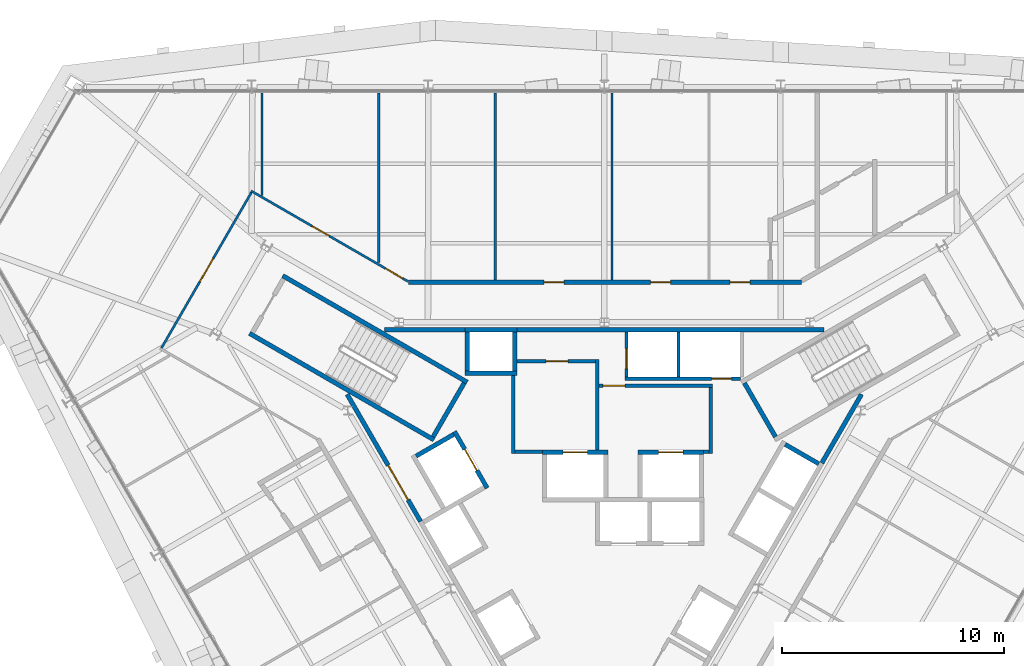
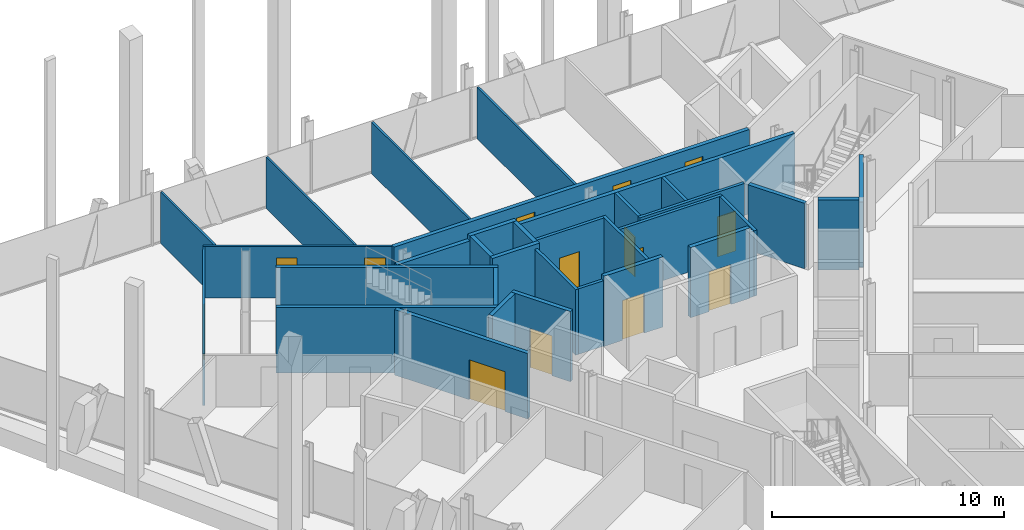
# One storey, part 12 of 15: 34 walls, 14 doors, 14 openings.
"""IFC4 building model written with IfcOpenShell, lengths in metres."""

from ifc_helpers import new_model, si_unit, direction, frame, frame_2d, origin, place, context, subcontext, project, spatial, rectangle, extrude, material, layer, layer_set, type_object, element, fill, save


model = new_model("IFC4")

# Units and contexts
model_context = context("Model", 3, precision=1e-05, world=origin(), true_north=direction((0.0, 1.0)))
body_context = subcontext(model_context, "Body", "Model", "MODEL_VIEW")
ifc_project = project(units=[si_unit("LENGTHUNIT", "METRE"), si_unit("AREAUNIT", "SQUARE_METRE"), si_unit("VOLUMEUNIT", "CUBIC_METRE"), si_unit("PLANEANGLEUNIT", "RADIAN"), si_unit("MASSUNIT", "GRAM", prefix="KILO")], contexts=[model_context])

# Site, building, storey
site_placement = place(None, origin())
site = spatial("IfcSite", under=ifc_project, at=site_placement, CompositionType="ELEMENT")
building_placement = place(site_placement, origin())
building = spatial("IfcBuilding", under=site, at=building_placement, Name="Verrane Prism Tower", CompositionType="ELEMENT")
storey_placement = place(building_placement, frame((0.0, 0.0, 189.5)))
storey = spatial("IfcBuildingStorey", under=building, at=storey_placement, Name="L47", CompositionType="ELEMENT", Elevation=189.5)

# Wall, opening, door
ifc_material_1 = material(Name="Gypsum board partition", Category="other")
ifc_layer_1 = layer(ifc_material_1, 0.199951171875)
ifc_layer_set_1 = layer_set([ifc_layer_1], Name="CW-200 core boundary wall 2 h")
wall_type_1 = type_object("IfcWallType", Name="CW-200 core boundary wall 2 h", PredefinedType="PARTITIONING", material=ifc_layer_set_1)
wall_1_placement = place(storey_placement, frame((-11.590576171875, 4.7548828125, 0.0), z_axis=(0.0, 0.0, 1.0), x_axis=(0.500043977787, -0.866000011708, 0.0)))
wall_1 = element("IfcWall", 1, at=wall_1_placement, inside=storey, type_object=wall_type_1, Name="Core boundary wall CW3-001", PredefinedType="PARTITIONING", context=body_context, shape_type="SweptSolid", body=[
    extrude(rectangle(XDim=6.61669921875, YDim=0.199951171875, at=frame_2d((3.308349609375, 0.0))), origin(), (0.0, 0.0, 1.0), 3.449951171875),
])
opening_1_placement = place(wall_1_placement, frame((3.695068359375, 0.0, 0.0)))
opening_1 = element("IfcOpeningElement", 2, at=opening_1_placement, cuts=wall_1, Name="Opening D47510", PredefinedType="OPENING", context=body_context, shape_type="SweptSolid", body=[
    extrude(rectangle(XDim=1.800048828125, YDim=2.10009765625, at=frame_2d((0.89990234375, 1.050048828125))), frame((0.0, 0.10986328125, 0.0), z_axis=(0.0, -1.0, 0.0), x_axis=(1.0, 0.0, 0.0)), (0.0, 0.0, 1.0), 0.219970703125),
])
ifc_material_2 = material(Name="Timber veneered door leaf", Category="wood")
door_type_1 = type_object("IfcDoorType", Name="DR-1800x2100 FD60 double leaf lift lobby", OperationType="NOTDEFINED", PredefinedType="DOOR", material=ifc_material_2)
door_1_placement = place(opening_1_placement, origin())
door_1 = element("IfcDoor", 3, at=door_1_placement, inside=storey, type_object=door_type_1, Name="Lift lobby door D47510", OperationType="DOUBLE_DOOR_SINGLE_SWING", OverallHeight=2.10009765625, OverallWidth=1.800048828125, PredefinedType="DOOR", context=body_context, shape_type="SweptSolid", body=[
    extrude(rectangle(XDim=1.800048828125, YDim=2.10009765625, at=frame_2d((0.89990234375, 1.050048828125))), frame((0.0, 0.02490234375, 0.0), z_axis=(0.0, -1.0, 0.0), x_axis=(1.0, 0.0, 0.0)), (0.0, 0.0, 1.0), 0.050048828125),
])
fill(opening_1, door_1)

# Walls
wall_2_placement = place(storey_placement, frame((-9.907958984375, 7.659912109375, 0.0), z_axis=(0.0, 0.0, 1.0), x_axis=(1.0, 0.0, 0.0)))
element("IfcWall", 4, at=wall_2_placement, inside=storey, type_object=wall_type_1, Name="Core boundary wall CW3-002", PredefinedType="PARTITIONING", context=body_context, shape_type="SweptSolid", body=[
    extrude(rectangle(XDim=3.620849609375, YDim=0.199951171875, at=frame_2d((1.810546875, 0.0))), origin(), (0.0, 0.0, 1.0), 3.449951171875),
])
wall_3_placement = place(storey_placement, frame((-3.93310546875, 7.659912109375, 0.0), z_axis=(0.0, 0.0, 1.0), x_axis=(1.0, 0.0, 0.0)))
element("IfcWall", 5, at=wall_3_placement, inside=storey, type_object=wall_type_1, Name="Core boundary wall CW3-005", PredefinedType="PARTITIONING", context=body_context, shape_type="SweptSolid", body=[
    extrude(rectangle(XDim=13.841064453125, YDim=0.199951171875, at=frame_2d((6.92041015625, 0.0))), origin(), (0.0, 0.0, 1.0), 3.449951171875),
])
wall_4_placement = place(storey_placement, frame((9.802978515625, 1.657958984375, 0.0), z_axis=(0.0, 0.0, 1.0), x_axis=(0.499943114462, 0.866058244174, 0.0)))
element("IfcWall", 6, at=wall_4_placement, inside=storey, type_object=wall_type_1, Name="Core boundary wall CW3-008", PredefinedType="PARTITIONING", context=body_context, shape_type="SweptSolid", body=[
    extrude(rectangle(XDim=3.57568359375, YDim=0.199951171875, at=frame_2d((1.787841796875, 0.0))), origin(), (0.0, 0.0, 1.0), 3.449951171875),
])
ifc_material_3 = material(Name="Concrete C40/50", Category="concrete")
ifc_layer_2 = layer(ifc_material_3, 0.199951171875)
ifc_layer_set_2 = layer_set([ifc_layer_2], Name="CW-200 stair core wall concrete C40/50 3 h")
wall_type_2 = type_object("IfcWallType", Name="CW-200 stair core wall concrete C40/50 3 h", PredefinedType="PARTITIONING", material=ifc_layer_set_2)
wall_5_placement = place(storey_placement, frame((7.71484375, 2.837646484375, 0.0), z_axis=(0.0, 0.0, 1.0), x_axis=(-0.500049511043, 0.865996816683, 0.0)))
element("IfcWall", 7, at=wall_5_placement, inside=storey, type_object=wall_type_2, Name="Stair 1 enclosure wall", PredefinedType="PARTITIONING", context=body_context, shape_type="SweptSolid", body=[
    extrude(rectangle(XDim=2.800048828125, YDim=0.199951171875, at=frame_2d((1.39990234375, 0.0))), origin(), (0.0, 0.0, 1.0), 3.449951171875),
])
for number, where, z_axis, x_axis, name in (
    (8, (-7.67822265625, 2.700927734375, 0.0), (0.0, 0.0, 1.0), (-0.866019993635, 0.500009370536, 0.0), "Stair 2 enclosure wall"),
    (9, (-6.17822265625, 5.299072265625, 0.0), (0.0, 0.0, 1.0), (-0.866019993635, 0.500009370536, 0.0), "Stair 2 enclosure wall"),
):
    element("IfcWall", number, at=place(storey_placement, frame(where, z_axis=z_axis, x_axis=x_axis)), inside=storey, type_object=wall_type_2, Name=name, PredefinedType="PARTITIONING", context=body_context, shape_type="SweptSolid", body=[
        extrude(rectangle(XDim=9.599853515625, YDim=0.199951171875, at=frame_2d((4.7998046875, 0.0))), origin(), (0.0, 0.0, 1.0), 3.449951171875),
    ])
wall_6_placement = place(storey_placement, frame((-6.314697265625, 5.262451171875, 0.0), z_axis=(0.0, 0.0, 1.0), x_axis=(-0.500049511043, -0.865996816683, 0.0)))
element("IfcWall", 10, at=wall_6_placement, inside=storey, type_object=wall_type_2, Name="Stair 2 enclosure wall", PredefinedType="PARTITIONING", context=body_context, shape_type="SweptSolid", body=[
    extrude(rectangle(XDim=2.800048828125, YDim=0.199951171875, at=frame_2d((1.39990234375, 0.0))), origin(), (0.0, 0.0, 1.0), 3.449951171875),
])

# Wall, opening, door
ifc_material_4 = material(Name="Gypsum board shaft wall assembly", Category="other")
ifc_layer_3 = layer(ifc_material_4, 0.199951171875)
ifc_layer_set_3 = layer_set([ifc_layer_3], Name="HW-200 lift shaft wall 2 h")
wall_type_3 = type_object("IfcWallType", Name="HW-200 lift shaft wall 2 h", PredefinedType="PARTITIONING", material=ifc_layer_set_3)
wall_7_placement = place(storey_placement, frame((-2.784912109375, 2.14990234375, 0.0), z_axis=(0.0, 0.0, 1.0), x_axis=(1.0, 0.0, 0.0)))
wall_7 = element("IfcWall", 11, at=wall_7_placement, inside=storey, type_object=wall_type_3, Name="Lift shaft wall", PredefinedType="PARTITIONING", context=body_context, shape_type="SweptSolid", body=[
    extrude(rectangle(XDim=2.949951171875, YDim=0.199951171875, at=frame_2d((1.47509765625, 0.0))), origin(), (0.0, 0.0, 1.0), 3.699951171875),
])
opening_2_placement = place(wall_7_placement, frame((0.925048828125, 0.0, 0.0)))
opening_2 = element("IfcOpeningElement", 12, at=opening_2_placement, cuts=wall_7, Name="Opening D47507", PredefinedType="OPENING", context=body_context, shape_type="SweptSolid", body=[
    extrude(rectangle(XDim=1.10009765625, YDim=2.10009765625, at=frame_2d((0.550048828125, 1.050048828125))), frame((0.0, 0.10986328125, 0.0), z_axis=(0.0, -1.0, 0.0), x_axis=(1.0, 0.0, 0.0)), (0.0, 0.0, 1.0), 0.219970703125),
])
ifc_material_5 = material(Name="Stainless steel sliding landing door", Category="steel")
door_type_2 = type_object("IfcDoorType", Name="LD-1100x2100 lift landing door FD90 sliding", OperationType="NOTDEFINED", PredefinedType="DOOR", material=ifc_material_5)
door_2_placement = place(opening_2_placement, origin())
door_2 = element("IfcDoor", 13, at=door_2_placement, inside=storey, type_object=door_type_2, Name="Fire service lift 1 landing door", OperationType="SLIDING_TO_LEFT", OverallHeight=2.10009765625, OverallWidth=1.10009765625, PredefinedType="DOOR", context=body_context, shape_type="SweptSolid", body=[
    extrude(rectangle(XDim=1.10009765625, YDim=2.10009765625, at=frame_2d((0.550048828125, 1.050048828125))), frame((0.0, 0.02490234375, 0.0), z_axis=(0.0, -1.0, 0.0), x_axis=(1.0, 0.0, 0.0)), (0.0, 0.0, 1.0), 0.050048828125),
])
fill(opening_2, door_2)

wall_8_placement = place(storey_placement, frame((1.52490234375, 2.14990234375, 0.0), z_axis=(0.0, 0.0, 1.0), x_axis=(1.0, 0.0, 0.0)))
wall_8 = element("IfcWall", 14, at=wall_8_placement, inside=storey, type_object=wall_type_3, Name="Lift shaft wall", PredefinedType="PARTITIONING", context=body_context, shape_type="SweptSolid", body=[
    extrude(rectangle(XDim=2.9501953125, YDim=0.199951171875, at=frame_2d((1.47509765625, 0.0))), origin(), (0.0, 0.0, 1.0), 3.699951171875),
])
opening_3_placement = place(wall_8_placement, frame((0.925048828125, 0.0, 0.0)))
opening_3 = element("IfcOpeningElement", 15, at=opening_3_placement, cuts=wall_8, Name="Opening D47508", PredefinedType="OPENING", context=body_context, shape_type="SweptSolid", body=[
    extrude(rectangle(XDim=1.10009765625, YDim=2.10009765625, at=frame_2d((0.550048828125, 1.050048828125))), frame((0.0, 0.10986328125, 0.0), z_axis=(0.0, -1.0, 0.0), x_axis=(1.0, 0.0, 0.0)), (0.0, 0.0, 1.0), 0.219970703125),
])
door_3_placement = place(opening_3_placement, origin())
door_3 = element("IfcDoor", 16, at=door_3_placement, inside=storey, type_object=door_type_2, Name="Fire service lift 2 landing door", OperationType="SLIDING_TO_RIGHT", OverallHeight=2.10009765625, OverallWidth=1.10009765625, PredefinedType="DOOR", context=body_context, shape_type="SweptSolid", body=[
    extrude(rectangle(XDim=1.10009765625, YDim=2.10009765625, at=frame_2d((0.550048828125, 1.050048828125))), frame((0.0, 0.02490234375, 0.0), z_axis=(0.0, -1.0, 0.0), x_axis=(1.0, 0.0, 0.0)), (0.0, 0.0, 1.0), 0.050048828125),
])
fill(opening_3, door_3)

# Walls
for number, where, z_axis, x_axis, name in (
    (17, (-6.284912109375, 5.7099609375, 0.0), (0.0, 0.0, 1.0), (1.0, 0.0, 0.0), "Lift shaft wall"),
    (18, (-6.284912109375, 7.659912109375, 0.0), (0.0, 0.0, 1.0), (1.0, 0.0, 0.0), "Lift shaft wall"),
):
    element("IfcWall", number, at=place(storey_placement, frame(where, z_axis=z_axis, x_axis=x_axis)), inside=storey, type_object=wall_type_3, Name=name, PredefinedType="PARTITIONING", context=body_context, shape_type="SweptSolid", body=[
        extrude(rectangle(XDim=2.349853515625, YDim=0.199951171875, at=frame_2d((1.1748046875, 0.0))), origin(), (0.0, 0.0, 1.0), 3.699951171875),
    ])
wall_9_placement = place(storey_placement, frame((-8.48046875, 1.968505859375, 0.0), z_axis=(0.0, 0.0, 1.0), x_axis=(0.866000020948, 0.500043961785, 0.0)))
element("IfcWall", 19, at=wall_9_placement, inside=storey, type_object=wall_type_3, Name="Lift shaft wall", PredefinedType="PARTITIONING", context=body_context, shape_type="SweptSolid", body=[
    extrude(rectangle(XDim=1.949951171875, YDim=0.199951171875, at=frame_2d((0.97509765625, 0.0))), origin(), (0.0, 0.0, 1.0), 3.699951171875),
])
for number, where, z_axis, x_axis, name in (
    (20, (-4.034912109375, 5.81005859375, 0.0), (0.0, 0.0, 1.0), (0.0, 1.0, 0.0), "Lift shaft wall"),
    (21, (-6.18505859375, 5.81005859375, 0.0), (0.0, 0.0, 1.0), (0.0, 1.0, 0.0), "Lift shaft wall"),
):
    element("IfcWall", number, at=place(storey_placement, frame(where, z_axis=z_axis, x_axis=x_axis)), inside=storey, type_object=wall_type_3, Name=name, PredefinedType="PARTITIONING", context=body_context, shape_type="SweptSolid", body=[
        extrude(rectangle(XDim=1.75, YDim=0.199951171875, at=frame_2d((0.875, 0.0))), origin(), (0.0, 0.0, 1.0), 3.699951171875),
    ])

# Wall, opening, door
wall_10_placement = place(storey_placement, frame((-5.280029296875, 0.525390625, 0.0), z_axis=(0.0, 0.0, 1.0), x_axis=(-0.500037662692, 0.866003658127, 0.0)))
wall_10 = element("IfcWall", 22, at=wall_10_placement, inside=storey, type_object=wall_type_3, Name="Lift shaft wall", PredefinedType="PARTITIONING", context=body_context, shape_type="SweptSolid", body=[
    extrude(rectangle(XDim=2.949951171875, YDim=0.199951171875, at=frame_2d((1.47509765625, 0.0))), origin(), (0.0, 0.0, 1.0), 3.699951171875),
])
opening_4_placement = place(wall_10_placement, frame((0.925048828125, 0.0, 0.0)))
opening_4 = element("IfcOpeningElement", 23, at=opening_4_placement, cuts=wall_10, Name="Opening D47509", PredefinedType="OPENING", context=body_context, shape_type="SweptSolid", body=[
    extrude(rectangle(XDim=1.10009765625, YDim=2.10009765625, at=frame_2d((0.550048828125, 1.050048828125))), frame((0.0, 0.10986328125, 0.0), z_axis=(0.0, -1.0, 0.0), x_axis=(1.0, 0.0, 0.0)), (0.0, 0.0, 1.0), 0.219970703125),
])
door_4_placement = place(opening_4_placement, origin())
door_4 = element("IfcDoor", 24, at=door_4_placement, inside=storey, type_object=door_type_2, Name="Service lift 1 landing door", OperationType="SLIDING_TO_LEFT", OverallHeight=2.10009765625, OverallWidth=1.10009765625, PredefinedType="DOOR", context=body_context, shape_type="SweptSolid", body=[
    extrude(rectangle(XDim=1.10009765625, YDim=2.10009765625, at=frame_2d((0.550048828125, 1.050048828125))), frame((0.0, 0.02490234375, 0.0), z_axis=(0.0, -1.0, 0.0), x_axis=(1.0, 0.0, 0.0)), (0.0, 0.0, 1.0), 0.050048828125),
])
fill(opening_4, door_4)

# Walls
wall_11_placement = place(storey_placement, frame((9.66455078125, 1.61962890625, 0.0), z_axis=(0.0, 0.0, 1.0), x_axis=(-0.866002029911, 0.500040482552, 0.0)))
element("IfcWall", 25, at=wall_11_placement, inside=storey, type_object=wall_type_3, Name="Lift shaft wall", PredefinedType="PARTITIONING", context=body_context, shape_type="SweptSolid", body=[
    extrude(rectangle(XDim=1.749755859375, YDim=0.199951171875, at=frame_2d((0.875, 0.0))), origin(), (0.0, 0.0, 1.0), 3.699951171875),
])
ifc_material_6 = material(Name="Gypsum board partition", Category="other")
ifc_layer_4 = layer(ifc_material_6, 0.14990234375)
ifc_layer_set_4 = layer_set([ifc_layer_4], Name="LF-150 firefighting lobby wall 1 h")
wall_type_4 = type_object("IfcWallType", Name="LF-150 firefighting lobby wall 1 h", PredefinedType="PARTITIONING", material=ifc_layer_set_4)
wall_12_placement = place(storey_placement, frame((-4.10009765625, 2.0849609375, 0.0), z_axis=(0.0, 0.0, 1.0), x_axis=(0.0, 1.0, 0.0)))
element("IfcWall", 26, at=wall_12_placement, inside=storey, type_object=wall_type_4, Name="Firefighting lobby wall LF1-001", PredefinedType="PARTITIONING", context=body_context, shape_type="SweptSolid", body=[
    extrude(rectangle(XDim=3.52294921875, YDim=0.14990234375, at=frame_2d((1.761474609375, 0.0))), origin(), (0.0, 0.0, 1.0), 3.449951171875),
])
wall_13_placement = place(storey_placement, frame((-4.02490234375, 2.159912109375, 0.0), z_axis=(0.0, 0.0, 1.0), x_axis=(1.0, 0.0, 0.0)))
element("IfcWall", 27, at=wall_13_placement, inside=storey, type_object=wall_type_4, Name="Firefighting lobby wall LF1-002", PredefinedType="PARTITIONING", context=body_context, shape_type="SweptSolid", body=[
    extrude(rectangle(XDim=1.23779296875, YDim=0.14990234375, at=frame_2d((0.618896484375, 0.0))), origin(), (0.0, 0.0, 1.0), 3.449951171875),
])

# Wall, opening, door
wall_14_placement = place(storey_placement, frame((-3.93310546875, 6.239990234375, 0.0), z_axis=(0.0, 0.0, 1.0), x_axis=(1.0, 0.0, 0.0)))
wall_14 = element("IfcWall", 28, at=wall_14_placement, inside=storey, type_object=wall_type_4, Name="Firefighting lobby wall LF1-003", PredefinedType="PARTITIONING", context=body_context, shape_type="SweptSolid", body=[
    extrude(rectangle(XDim=3.5380859375, YDim=0.14990234375, at=frame_2d((1.76904296875, 0.0))), origin(), (0.0, 0.0, 1.0), 3.449951171875),
])
opening_5_placement = place(wall_14_placement, frame((1.300048828125, 0.0, 0.0)))
opening_5 = element("IfcOpeningElement", 29, at=opening_5_placement, cuts=wall_14, Name="Opening D47512", PredefinedType="OPENING", context=body_context, shape_type="SweptSolid", body=[
    extrude(rectangle(XDim=1.0, YDim=2.10009765625, at=frame_2d((0.5, 1.050048828125))), frame((0.0, 0.0849609375, 0.0), z_axis=(0.0, -1.0, 0.0), x_axis=(1.0, 0.0, 0.0)), (0.0, 0.0, 1.0), 0.169921875),
])
ifc_material_7 = material(Name="Timber veneered door leaf", Category="wood")
door_type_3 = type_object("IfcDoorType", Name="DR-1000x2100 FD60 single leaf firefighting lobby", OperationType="NOTDEFINED", PredefinedType="DOOR", material=ifc_material_7)
door_5_placement = place(opening_5_placement, origin())
door_5 = element("IfcDoor", 30, at=door_5_placement, inside=storey, type_object=door_type_3, Name="Firefighting lobby door D47512", OperationType="SINGLE_SWING_LEFT", OverallHeight=2.10009765625, OverallWidth=1.0, PredefinedType="DOOR", context=body_context, shape_type="SweptSolid", body=[
    extrude(rectangle(XDim=1.0, YDim=2.10009765625, at=frame_2d((0.5, 1.050048828125))), frame((0.0, 0.02490234375, 0.0), z_axis=(0.0, -1.0, 0.0), x_axis=(1.0, 0.0, 0.0)), (0.0, 0.0, 1.0), 0.050048828125),
])
fill(opening_5, door_5)

# Wall
wall_15_placement = place(storey_placement, frame((-0.320068359375, 2.251953125, 0.0), z_axis=(0.0, 0.0, 1.0), x_axis=(0.0, 1.0, 0.0)))
element("IfcWall", 31, at=wall_15_placement, inside=storey, type_object=wall_type_4, Name="Firefighting lobby wall LF1-004", PredefinedType="PARTITIONING", context=body_context, shape_type="SweptSolid", body=[
    extrude(rectangle(XDim=4.06298828125, YDim=0.14990234375, at=frame_2d((2.031494140625, 0.0))), origin(), (0.0, 0.0, 1.0), 3.449951171875),
])

# Wall, opening, door
wall_16_placement = place(storey_placement, frame((-0.2451171875, 5.139892578125, 0.0), z_axis=(0.0, 0.0, 1.0), x_axis=(1.0, 0.0, 0.0)))
wall_16 = element("IfcWall", 32, at=wall_16_placement, inside=storey, type_object=wall_type_4, Name="Firefighting lobby wall LF1-005", PredefinedType="PARTITIONING", context=body_context, shape_type="SweptSolid", body=[
    extrude(rectangle(XDim=5.110107421875, YDim=0.14990234375, at=frame_2d((2.55517578125, 0.0))), origin(), (0.0, 0.0, 1.0), 3.449951171875),
])
opening_6_placement = place(wall_16_placement, frame((0.175048828125, 0.0, 0.0)))
opening_6 = element("IfcOpeningElement", 33, at=opening_6_placement, cuts=wall_16, Name="Opening D47513", PredefinedType="OPENING", context=body_context, shape_type="SweptSolid", body=[
    extrude(rectangle(XDim=1.0, YDim=2.10009765625, at=frame_2d((0.5, 1.050048828125))), frame((0.0, 0.0849609375, 0.0), z_axis=(0.0, -1.0, 0.0), x_axis=(1.0, 0.0, 0.0)), (0.0, 0.0, 1.0), 0.169921875),
])
door_6_placement = place(opening_6_placement, origin())
door_6 = element("IfcDoor", 34, at=door_6_placement, inside=storey, type_object=door_type_3, Name="Firefighting lobby door D47513", OperationType="SINGLE_SWING_LEFT", OverallHeight=2.10009765625, OverallWidth=1.0, PredefinedType="DOOR", context=body_context, shape_type="SweptSolid", body=[
    extrude(rectangle(XDim=1.0, YDim=2.10009765625, at=frame_2d((0.5, 1.050048828125))), frame((0.0, 0.02490234375, 0.0), z_axis=(0.0, -1.0, 0.0), x_axis=(1.0, 0.0, 0.0)), (0.0, 0.0, 1.0), 0.050048828125),
])
fill(opening_6, door_6)

# Walls
wall_17_placement = place(storey_placement, frame((4.47705078125, 2.159912109375, 0.0), z_axis=(0.0, 0.0, 1.0), x_axis=(1.0, 0.0, 0.0)))
element("IfcWall", 35, at=wall_17_placement, inside=storey, type_object=wall_type_4, Name="Firefighting lobby wall LF1-006", PredefinedType="PARTITIONING", context=body_context, shape_type="SweptSolid", body=[
    extrude(rectangle(XDim=0.238037109375, YDim=0.14990234375, at=frame_2d((0.119140625, 0.0))), origin(), (0.0, 0.0, 1.0), 3.449951171875),
])
wall_18_placement = place(storey_placement, frame((4.7900390625, 2.0849609375, 0.0), z_axis=(0.0, 0.0, 1.0), x_axis=(0.0, 1.0, 0.0)))
element("IfcWall", 36, at=wall_18_placement, inside=storey, type_object=wall_type_4, Name="Firefighting lobby wall LF1-007", PredefinedType="PARTITIONING", context=body_context, shape_type="SweptSolid", body=[
    extrude(rectangle(XDim=2.97998046875, YDim=0.14990234375, at=frame_2d((1.489990234375, 0.0))), origin(), (0.0, 0.0, 1.0), 3.449951171875),
])

# Wall, opening, door
ifc_material_8 = material(Name="Gypsum board partition", Category="other")
ifc_layer_5 = layer(ifc_material_8, 0.10009765625)
ifc_layer_set_5 = layer_set([ifc_layer_5], Name="PW-100 room partition")
wall_type_5 = type_object("IfcWallType", Name="PW-100 room partition", PredefinedType="PARTITIONING", material=ifc_layer_set_5)
wall_19_placement = place(storey_placement, frame((-19.955078125, 6.84423828125, 0.0), z_axis=(0.0, 0.0, 1.0), x_axis=(0.500415732313, 0.865785247537, 0.0)))
wall_19 = element("IfcWall", 37, at=wall_19_placement, inside=storey, type_object=wall_type_5, Name="Room partition 003", PredefinedType="PARTITIONING", context=body_context, shape_type="SweptSolid", body=[
    extrude(rectangle(XDim=8.09716796875, YDim=0.10009765625, at=frame_2d((4.048583984375, 0.0))), origin(), (0.0, 0.0, 1.0), 2.712890625),
])
opening_7_placement = place(wall_19_placement, frame((3.449951171875, 0.0, 0.0)))
opening_7 = element("IfcOpeningElement", 38, at=opening_7_placement, cuts=wall_19, Name="Opening D47018", PredefinedType="OPENING", context=body_context, shape_type="SweptSolid", body=[
    extrude(rectangle(XDim=1.199951171875, YDim=2.10009765625, at=frame_2d((0.60009765625, 1.050048828125))), frame((0.0, 0.06005859375, 0.0), z_axis=(0.0, -1.0, 0.0), x_axis=(1.0, 0.0, 0.0)), (0.0, 0.0, 1.0), 0.1201171875),
])
ifc_material_9 = material(Name="Timber veneered door leaf", Category="wood")
door_type_4 = type_object("IfcDoorType", Name="DR-1200x2100 single leaf unit", OperationType="NOTDEFINED", PredefinedType="DOOR", material=ifc_material_9)
door_7_placement = place(opening_7_placement, origin())
door_7 = element("IfcDoor", 39, at=door_7_placement, inside=storey, type_object=door_type_4, Name="Living And Dining Room door", OperationType="SINGLE_SWING_RIGHT", OverallHeight=2.10009765625, OverallWidth=1.199951171875, PredefinedType="DOOR", context=body_context, shape_type="SweptSolid", body=[
    extrude(rectangle(XDim=1.199951171875, YDim=2.10009765625, at=frame_2d((0.60009765625, 1.050048828125))), frame((0.0, 0.02490234375, 0.0), z_axis=(0.0, -1.0, 0.0), x_axis=(1.0, 0.0, 0.0)), (0.0, 0.0, 1.0), 0.050048828125),
])
fill(opening_7, door_7)

# Wall, openings, doors
wall_20_placement = place(storey_placement, frame((-15.92138671875, 13.923095703125, 0.0), z_axis=(0.0, 0.0, 1.0), x_axis=(0.866088973199, -0.499889878377, 0.0)))
wall_20 = element("IfcWall", 40, at=wall_20_placement, inside=storey, type_object=wall_type_5, Name="Room partition 007", PredefinedType="PARTITIONING", context=body_context, shape_type="SweptSolid", body=[
    extrude(rectangle(XDim=8.162841796875, YDim=0.10009765625, at=frame_2d((4.08154296875, 0.0))), origin(), (0.0, 0.0, 1.0), 2.712890625),
])
opening_8_placement = place(wall_20_placement, frame((6.989990234375, 0.0, 0.0)))
opening_8 = element("IfcOpeningElement", 41, at=opening_8_placement, cuts=wall_20, Name="Opening D47016", PredefinedType="OPENING", context=body_context, shape_type="SweptSolid", body=[
    extrude(rectangle(XDim=0.89990234375, YDim=2.10009765625, at=frame_2d((0.449951171875, 1.050048828125))), frame((0.0, 0.06005859375, 0.0), z_axis=(0.0, -1.0, 0.0), x_axis=(1.0, 0.0, 0.0)), (0.0, 0.0, 1.0), 0.1201171875),
])
opening_9_placement = place(wall_20_placement, frame((3.172119140625, 0.0, 0.0)))
opening_9 = element("IfcOpeningElement", 42, at=opening_9_placement, cuts=wall_20, Name="Opening D47017", PredefinedType="OPENING", context=body_context, shape_type="SweptSolid", body=[
    extrude(rectangle(XDim=0.89990234375, YDim=2.10009765625, at=frame_2d((0.449951171875, 1.050048828125))), frame((0.0, 0.06005859375, 0.0), z_axis=(0.0, -1.0, 0.0), x_axis=(1.0, 0.0, 0.0)), (0.0, 0.0, 1.0), 0.1201171875),
])
ifc_material_10 = material(Name="Timber veneered door leaf", Category="wood")
door_type_5 = type_object("IfcDoorType", Name="DR-900x2100 single leaf unit", OperationType="NOTDEFINED", PredefinedType="DOOR", material=ifc_material_10)
door_8_placement = place(opening_8_placement, origin())
door_8 = element("IfcDoor", 43, at=door_8_placement, inside=storey, type_object=door_type_5, Name="Study door", OperationType="SINGLE_SWING_RIGHT", OverallHeight=2.10009765625, OverallWidth=0.89990234375, PredefinedType="DOOR", context=body_context, shape_type="SweptSolid", body=[
    extrude(rectangle(XDim=0.89990234375, YDim=2.10009765625, at=frame_2d((0.449951171875, 1.050048828125))), frame((0.0, 0.02490234375, 0.0), z_axis=(0.0, -1.0, 0.0), x_axis=(1.0, 0.0, 0.0)), (0.0, 0.0, 1.0), 0.050048828125),
])
fill(opening_8, door_8)
door_9_placement = place(opening_9_placement, origin())
door_9 = element("IfcDoor", 44, at=door_9_placement, inside=storey, type_object=door_type_5, Name="Study door", OperationType="SINGLE_SWING_LEFT", OverallHeight=2.10009765625, OverallWidth=0.89990234375, PredefinedType="DOOR", context=body_context, shape_type="SweptSolid", body=[
    extrude(rectangle(XDim=0.89990234375, YDim=2.10009765625, at=frame_2d((0.449951171875, 1.050048828125))), frame((0.0, 0.02490234375, 0.0), z_axis=(0.0, -1.0, 0.0), x_axis=(1.0, 0.0, 0.0)), (0.0, 0.0, 1.0), 0.050048828125),
])
fill(opening_9, door_9)

# Walls
wall_21_placement = place(storey_placement, frame((-15.426025390625, 13.7236328125, 0.0), z_axis=(0.0, 0.0, 1.0), x_axis=(0.0, 1.0, 0.0)))
element("IfcWall", 45, at=wall_21_placement, inside=storey, type_object=wall_type_5, Name="Room partition 010", PredefinedType="PARTITIONING", context=body_context, shape_type="SweptSolid", body=[
    extrude(rectangle(XDim=4.611328125, YDim=0.10009765625, at=frame_2d((2.3056640625, 0.0))), origin(), (0.0, 0.0, 1.0), 2.712890625),
])
wall_22_placement = place(storey_placement, frame((-10.169921875, 10.690673828125, 0.0), z_axis=(0.0, 0.0, 1.0), x_axis=(0.0, 1.0, 0.0)))
element("IfcWall", 46, at=wall_22_placement, inside=storey, type_object=wall_type_5, Name="Room partition 016", PredefinedType="PARTITIONING", context=body_context, shape_type="SweptSolid", body=[
    extrude(rectangle(XDim=7.644287109375, YDim=0.10009765625, at=frame_2d((3.822265625, 0.0))), origin(), (0.0, 0.0, 1.0), 2.712890625),
])
for number, where, z_axis, x_axis, name in (
    (47, (-4.9150390625, 9.89990234375, 0.0), (0.0, 0.0, 1.0), (0.0, 1.0, 0.0), "Room partition 020"),
    (48, (0.341064453125, 9.89990234375, 0.0), (0.0, 0.0, 1.0), (0.0, 1.0, 0.0), "Room partition 026"),
):
    element("IfcWall", number, at=place(storey_placement, frame(where, z_axis=z_axis, x_axis=x_axis)), inside=storey, type_object=wall_type_5, Name=name, PredefinedType="PARTITIONING", context=body_context, shape_type="SweptSolid", body=[
        extrude(rectangle(XDim=8.43505859375, YDim=0.10009765625, at=frame_2d((4.217529296875, 0.0))), origin(), (0.0, 0.0, 1.0), 2.712890625),
    ])

# Wall, openings, doors
ifc_material_11 = material(Name="Gypsum board partition", Category="other")
ifc_layer_6 = layer(ifc_material_11, 0.199951171875)
ifc_layer_set_6 = layer_set([ifc_layer_6], Name="PW-200 plumbing wall")
wall_type_6 = type_object("IfcWallType", Name="PW-200 plumbing wall", PredefinedType="PARTITIONING", material=ifc_layer_set_6)
wall_23_placement = place(storey_placement, frame((-8.827880859375, 9.800048828125, 0.0), z_axis=(0.0, 0.0, 1.0), x_axis=(1.0, 0.0, 0.0)))
wall_23 = element("IfcWall", 49, at=wall_23_placement, inside=storey, type_object=wall_type_6, Name="Plumbing wall 018", PredefinedType="PARTITIONING", context=body_context, shape_type="SweptSolid", body=[
    extrude(rectangle(XDim=17.705810546875, YDim=0.199951171875, at=frame_2d((8.85302734375, 0.0))), origin(), (0.0, 0.0, 1.0), 2.712890625),
])
opening_10_placement = place(wall_23_placement, frame((14.498046875, 0.0, 0.0)))
opening_10 = element("IfcOpeningElement", 50, at=opening_10_placement, cuts=wall_23, Name="Opening D47012", PredefinedType="OPENING", context=body_context, shape_type="SweptSolid", body=[
    extrude(rectangle(XDim=0.89990234375, YDim=2.10009765625, at=frame_2d((0.449951171875, 1.050048828125))), frame((0.0, 0.10986328125, 0.0), z_axis=(0.0, -1.0, 0.0), x_axis=(1.0, 0.0, 0.0)), (0.0, 0.0, 1.0), 0.219970703125),
])
opening_11_placement = place(wall_23_placement, frame((10.9189453125, 0.0, 0.0)))
opening_11 = element("IfcOpeningElement", 51, at=opening_11_placement, cuts=wall_23, Name="Opening D47014", PredefinedType="OPENING", context=body_context, shape_type="SweptSolid", body=[
    extrude(rectangle(XDim=0.89990234375, YDim=2.10009765625, at=frame_2d((0.449951171875, 1.050048828125))), frame((0.0, 0.10986328125, 0.0), z_axis=(0.0, -1.0, 0.0), x_axis=(1.0, 0.0, 0.0)), (0.0, 0.0, 1.0), 0.219970703125),
])
opening_12_placement = place(wall_23_placement, frame((6.113037109375, 0.0, 0.0)))
opening_12 = element("IfcOpeningElement", 52, at=opening_12_placement, cuts=wall_23, Name="Opening D47015", PredefinedType="OPENING", context=body_context, shape_type="SweptSolid", body=[
    extrude(rectangle(XDim=0.89990234375, YDim=2.10009765625, at=frame_2d((0.449951171875, 1.050048828125))), frame((0.0, 0.10986328125, 0.0), z_axis=(0.0, -1.0, 0.0), x_axis=(1.0, 0.0, 0.0)), (0.0, 0.0, 1.0), 0.219970703125),
])
ifc_material_12 = material(Name="Timber veneered door leaf", Category="wood")
door_type_6 = type_object("IfcDoorType", Name="DR-900x2100 single leaf inner", OperationType="NOTDEFINED", PredefinedType="DOOR", material=ifc_material_12)
door_10_placement = place(opening_10_placement, origin())
door_10 = element("IfcDoor", 53, at=door_10_placement, inside=storey, type_object=door_type_6, Name="Bedroom door", OperationType="SINGLE_SWING_RIGHT", OverallHeight=2.10009765625, OverallWidth=0.89990234375, PredefinedType="DOOR", context=body_context, shape_type="SweptSolid", body=[
    extrude(rectangle(XDim=0.89990234375, YDim=2.10009765625, at=frame_2d((0.449951171875, 1.050048828125))), frame((0.0, 0.02490234375, 0.0), z_axis=(0.0, -1.0, 0.0), x_axis=(1.0, 0.0, 0.0)), (0.0, 0.0, 1.0), 0.050048828125),
])
fill(opening_10, door_10)
door_11_placement = place(opening_11_placement, origin())
door_11 = element("IfcDoor", 54, at=door_11_placement, inside=storey, type_object=door_type_5, Name="Kitchen door", OperationType="SINGLE_SWING_RIGHT", OverallHeight=2.10009765625, OverallWidth=0.89990234375, PredefinedType="DOOR", context=body_context, shape_type="SweptSolid", body=[
    extrude(rectangle(XDim=0.89990234375, YDim=2.10009765625, at=frame_2d((0.449951171875, 1.050048828125))), frame((0.0, 0.02490234375, 0.0), z_axis=(0.0, -1.0, 0.0), x_axis=(1.0, 0.0, 0.0)), (0.0, 0.0, 1.0), 0.050048828125),
])
fill(opening_11, door_11)
door_12_placement = place(opening_12_placement, origin())
door_12 = element("IfcDoor", 55, at=door_12_placement, inside=storey, type_object=door_type_5, Name="Study door", OperationType="SINGLE_SWING_LEFT", OverallHeight=2.10009765625, OverallWidth=0.89990234375, PredefinedType="DOOR", context=body_context, shape_type="SweptSolid", body=[
    extrude(rectangle(XDim=0.89990234375, YDim=2.10009765625, at=frame_2d((0.449951171875, 1.050048828125))), frame((0.0, 0.02490234375, 0.0), z_axis=(0.0, -1.0, 0.0), x_axis=(1.0, 0.0, 0.0)), (0.0, 0.0, 1.0), 0.050048828125),
])
fill(opening_12, door_12)

# Wall, opening, door
ifc_material_13 = material(Name="Gypsum board partition", Category="other")
ifc_layer_7 = layer(ifc_material_13, 0.14990234375)
ifc_layer_set_7 = layer_set([ifc_layer_7], Name="RS-150 riser enclosure wall 1 h")
wall_type_7 = type_object("IfcWallType", Name="RS-150 riser enclosure wall 1 h", PredefinedType="PARTITIONING", material=ifc_layer_set_7)
wall_24_placement = place(storey_placement, frame((1.0, 7.56005859375, 0.0), z_axis=(0.0, 0.0, 1.0), x_axis=(0.0, -1.0, 0.0)))
wall_24 = element("IfcWall", 56, at=wall_24_placement, inside=storey, type_object=wall_type_7, Name="Riser wall RS3-001", PredefinedType="PARTITIONING", context=body_context, shape_type="SweptSolid", body=[
    extrude(rectangle(XDim=2.025146484375, YDim=0.14990234375, at=frame_2d((1.0126953125, 0.0))), origin(), (0.0, 0.0, 1.0), 3.449951171875),
])
opening_13_placement = place(wall_24_placement, frame((0.75, 0.0, 0.0)))
opening_13 = element("IfcOpeningElement", 57, at=opening_13_placement, cuts=wall_24, Name="Opening D47514", PredefinedType="OPENING", context=body_context, shape_type="SweptSolid", body=[
    extrude(rectangle(XDim=0.89990234375, YDim=2.10009765625, at=frame_2d((0.449951171875, 1.050048828125))), frame((0.0, 0.0849609375, 0.0), z_axis=(0.0, -1.0, 0.0), x_axis=(1.0, 0.0, 0.0)), (0.0, 0.0, 1.0), 0.169921875),
])
ifc_material_14 = material(Name="Timber veneered door leaf", Category="wood")
door_type_7 = type_object("IfcDoorType", Name="DR-900x2100 FD60 single leaf riser", OperationType="NOTDEFINED", PredefinedType="DOOR", material=ifc_material_14)
door_13_placement = place(opening_13_placement, origin())
door_13 = element("IfcDoor", 58, at=door_13_placement, inside=storey, type_object=door_type_7, Name="Riser door D47514", OperationType="SINGLE_SWING_RIGHT", OverallHeight=2.10009765625, OverallWidth=0.89990234375, PredefinedType="DOOR", context=body_context, shape_type="SweptSolid", body=[
    extrude(rectangle(XDim=0.89990234375, YDim=2.10009765625, at=frame_2d((0.449951171875, 1.050048828125))), frame((0.0, 0.02490234375, 0.0), z_axis=(0.0, -1.0, 0.0), x_axis=(1.0, 0.0, 0.0)), (0.0, 0.0, 1.0), 0.050048828125),
])
fill(opening_13, door_13)

wall_25_placement = place(storey_placement, frame((0.925048828125, 5.4599609375, 0.0), z_axis=(0.0, 0.0, 1.0), x_axis=(1.0, 0.0, 0.0)))
wall_25 = element("IfcWall", 59, at=wall_25_placement, inside=storey, type_object=wall_type_7, Name="Riser wall RS3-002", PredefinedType="PARTITIONING", context=body_context, shape_type="SweptSolid", body=[
    extrude(rectangle(XDim=5.219970703125, YDim=0.14990234375, at=frame_2d((2.60986328125, 0.0))), origin(), (0.0, 0.0, 1.0), 3.449951171875),
])
opening_14_placement = place(wall_25_placement, frame((3.9150390625, 0.0, 0.0)))
opening_14 = element("IfcOpeningElement", 60, at=opening_14_placement, cuts=wall_25, Name="Opening D47515", PredefinedType="OPENING", context=body_context, shape_type="SweptSolid", body=[
    extrude(rectangle(XDim=0.89990234375, YDim=2.10009765625, at=frame_2d((0.449951171875, 1.050048828125))), frame((0.0, 0.0849609375, 0.0), z_axis=(0.0, -1.0, 0.0), x_axis=(1.0, 0.0, 0.0)), (0.0, 0.0, 1.0), 0.169921875),
])
door_14_placement = place(opening_14_placement, origin())
door_14 = element("IfcDoor", 61, at=door_14_placement, inside=storey, type_object=door_type_7, Name="Riser door D47515", OperationType="SINGLE_SWING_RIGHT", OverallHeight=2.10009765625, OverallWidth=0.89990234375, PredefinedType="DOOR", context=body_context, shape_type="SweptSolid", body=[
    extrude(rectangle(XDim=0.89990234375, YDim=2.10009765625, at=frame_2d((0.449951171875, 1.050048828125))), frame((0.0, 0.02490234375, 0.0), z_axis=(0.0, -1.0, 0.0), x_axis=(1.0, 0.0, 0.0)), (0.0, 0.0, 1.0), 0.050048828125),
])
fill(opening_14, door_14)

# Wall
wall_26_placement = place(storey_placement, frame((3.340087890625, 5.534912109375, 0.0), z_axis=(0.0, 0.0, 1.0), x_axis=(0.0, 1.0, 0.0)))
element("IfcWall", 62, at=wall_26_placement, inside=storey, type_object=wall_type_7, Name="Riser wall RS3-006", PredefinedType="PARTITIONING", context=body_context, shape_type="SweptSolid", body=[
    extrude(rectangle(XDim=2.025146484375, YDim=0.14990234375, at=frame_2d((1.0126953125, 0.0))), origin(), (0.0, 0.0, 1.0), 3.449951171875),
])

save(model, "model.ifc")
